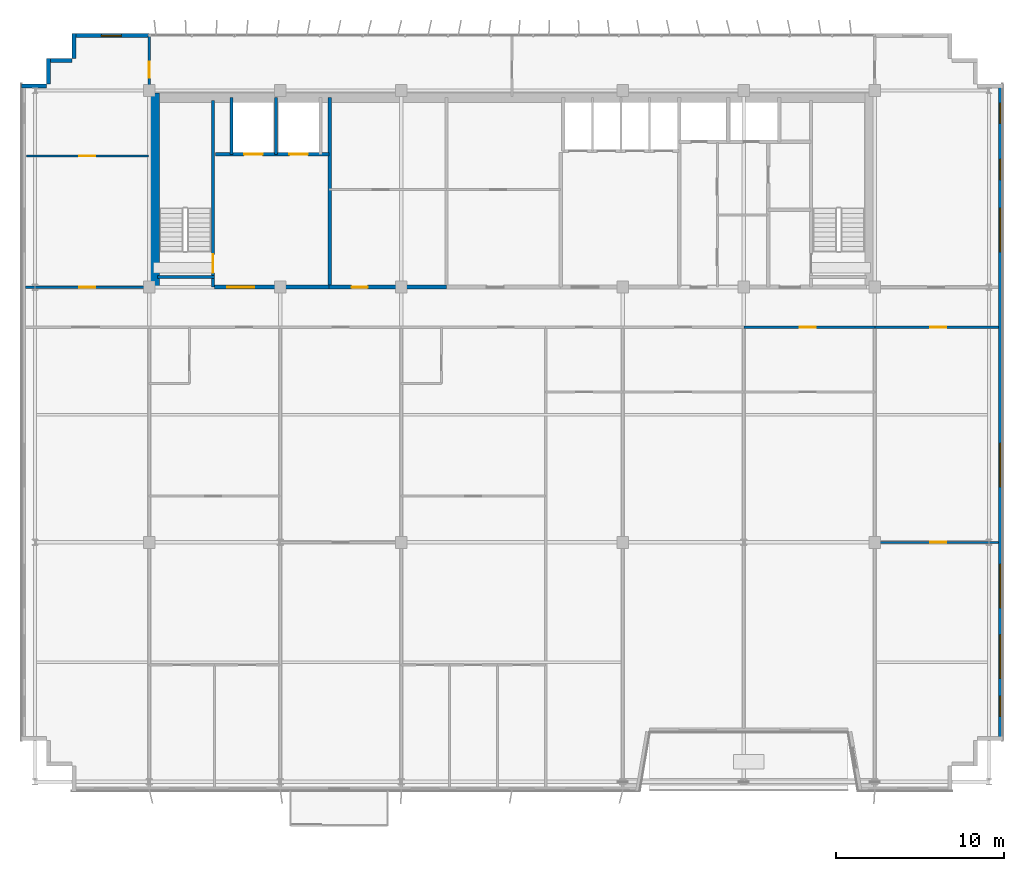
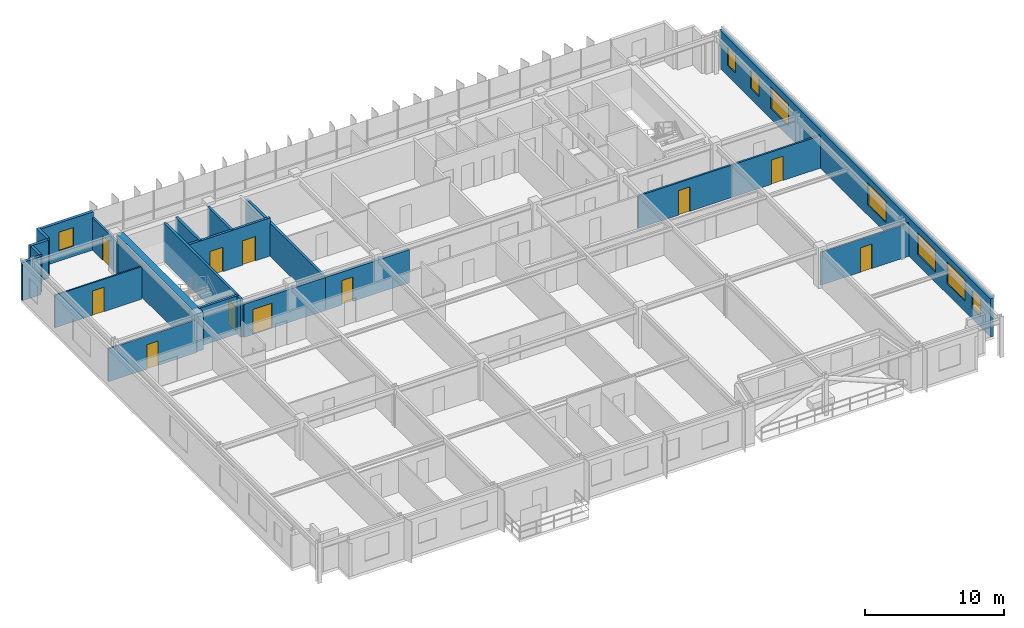
# One storey, part 19 of 23: 21 walls, 11 doors, 8 windows, 19 openings.
"""IFC4 building model written with IfcOpenShell, lengths in metres."""

from ifc_helpers import new_model, si_unit, direction, frame, frame_2d, origin, place, context, subcontext, project, spatial, rectangle, extrude, source, transform, mapped, material, layer, layer_set, type_object, element, fill, save


model = new_model("IFC4")

# Units and contexts
model_context = context("Model", 3, precision=1e-05, world=origin(), true_north=direction((0.0, 1.0)))
body_context = subcontext(model_context, "Body", "Model", "MODEL_VIEW")
ifc_project = project(units=[si_unit("LENGTHUNIT", "METRE"), si_unit("AREAUNIT", "SQUARE_METRE"), si_unit("VOLUMEUNIT", "CUBIC_METRE"), si_unit("PLANEANGLEUNIT", "RADIAN"), si_unit("MASSUNIT", "GRAM", prefix="KILO")], contexts=[model_context])

# Site, building, storey
site_placement = place(None, origin())
site = spatial("IfcSite", under=ifc_project, at=site_placement, CompositionType="ELEMENT")
building_placement = place(site_placement, origin())
building = spatial("IfcBuilding", under=site, at=building_placement, Name="Trelvane Seafront Commons", CompositionType="ELEMENT")
storey_placement = place(building_placement, frame((0.0, 0.0, 230.10009765625)))
storey = spatial("IfcBuildingStorey", under=building, at=storey_placement, Name="L60", CompositionType="ELEMENT", Elevation=230.10009765625)

# Wall, opening, window
ifc_material_1 = material(Name="Precast concrete C40/50", Category="concrete")
ifc_layer_1 = layer(ifc_material_1, 0.239990234375, Name="ARCH-WALL-EXT240")
ifc_layer_set_1 = layer_set([ifc_layer_1], Name="Precast concrete C40/50")
wall_type_1 = type_object("IfcWallType", Name="ARCH-WALL-EXT240", PredefinedType="SOLIDWALL", material=ifc_layer_set_1)
wall_1_placement = place(storey_placement, frame((11.10009765625, 48.3701171875, 0.0), z_axis=(0.0, 0.0, 1.0), x_axis=(1.0, 0.0, 0.0)))
wall_1 = element("IfcWall", 1, at=wall_1_placement, inside=storey, type_object=wall_type_1, Name="EW-L60-NW-1204", PredefinedType="SOLIDWALL", context=body_context, shape_type="SweptSolid", body=[
    extrude(rectangle(XDim=4.5, YDim=0.239990234375, at=frame_2d((2.25, 0.0))), origin(), (0.0, 0.0, 1.0), 3.35986328125),
])
opening_1_placement = place(wall_1_placement, frame((1.64990234375, 0.0, 0.89990234375)))
opening_1 = element("IfcOpeningElement", 2, at=opening_1_placement, cuts=wall_1, Name="Opening W05", PredefinedType="OPENING", context=body_context, shape_type="SweptSolid", body=[
    extrude(rectangle(XDim=1.199951171875, YDim=1.64990234375, at=frame_2d((0.60009765625, 0.824951171875))), frame((0.0, 0.1298828125, 0.0), z_axis=(0.0, -1.0, 0.0), x_axis=(1.0, 0.0, 0.0)), (0.0, 0.0, 1.0), 0.260009765625),
])
ifc_material_2 = material(Name="Low-E coastal double glazing", Category="glass")
window_type_1 = type_object("IfcWindowType", Name="ARCH-WIN-W05", PartitioningType="SINGLE_PANEL", PredefinedType="WINDOW", material=ifc_material_2)
shared_shape_1 = source(origin(), body_context, "Body", "SweptSolid", [
    extrude(rectangle(XDim=1.199951171875, YDim=1.64990234375, at=frame_2d((0.60009765625, 0.824951171875))), frame((0.0, 0.030029296875, 0.0), z_axis=(0.0, -1.0, 0.0), x_axis=(1.0, 0.0, 0.0)), (0.0, 0.0, 1.0), 0.06005859375),
])
window_1_placement = place(opening_1_placement, origin())
window_1 = element("IfcWindow", 3, at=window_1_placement, inside=storey, type_object=window_type_1, Name="WIN-L60-01463", OverallHeight=1.64990234375, OverallWidth=1.199951171875, PartitioningType="SINGLE_PANEL", PredefinedType="WINDOW", context=body_context, shape_type="MappedRepresentation", body=[
    mapped(shared_shape_1, transform((0.0, 0.0, 0.0), x_axis=(1.0, 0.0, 0.0), y_axis=(0.0, 1.0, 0.0), z_axis=(0.0, 0.0, 1.0), scale=1.0)),
])
fill(opening_1, window_1)

# Walls
for number, where, z_axis, x_axis, name in (
    (4, (8.0, 45.3798828125, 0.0), (0.0, 0.0, 1.0), (1.0, 0.0, 0.0), "EW-L60-01210"),
    (5, (9.6201171875, 45.5, 0.0), (0.0, 0.0, 1.0), (0.0, 1.0, 0.0), "EW-L60-01211"),
    (6, (9.5, 46.8798828125, 0.0), (0.0, 0.0, 1.0), (1.0, 0.0, 0.0), "EW-L60-01212"),
    (7, (11.1201171875, 47.0, 0.0), (0.0, 0.0, 1.0), (0.0, 1.0, 0.0), "EW-L60-01213"),
):
    element("IfcWall", number, at=place(storey_placement, frame(where, z_axis=z_axis, x_axis=x_axis)), inside=storey, type_object=wall_type_1, Name=name, PredefinedType="SOLIDWALL", context=body_context, shape_type="SweptSolid", body=[
        extrude(rectangle(XDim=1.5, YDim=0.239990234375, at=frame_2d((0.75, 0.0))), origin(), (0.0, 0.0, 1.0), 3.35986328125),
    ])

# Wall, openings, windows
wall_2_placement = place(storey_placement, frame((66.280029296875, 45.5, 0.0), z_axis=(0.0, 0.0, 1.0), x_axis=(0.0, -1.0, 0.0)))
wall_2 = element("IfcWall", 8, at=wall_2_placement, inside=storey, type_object=wall_type_1, Name="EW-L60-01218", PredefinedType="SOLIDWALL", context=body_context, shape_type="SweptSolid", body=[
    extrude(rectangle(XDim=39.10009765625, YDim=0.239990234375, at=frame_2d((19.550048828125, 0.0))), origin(), (0.0, 0.0, 1.0), 3.35986328125),
])
opening_2_placement = place(wall_2_placement, frame((36.449951171875, 0.0, 0.919921875)))
opening_2 = element("IfcOpeningElement", 9, at=opening_2_placement, cuts=wall_2, Name="Opening W05", PredefinedType="OPENING", context=body_context, shape_type="SweptSolid", body=[
    extrude(rectangle(XDim=1.199951171875, YDim=1.64990234375, at=frame_2d((0.60009765625, 0.824951171875))), frame((0.0, 0.1298828125, 0.0), z_axis=(0.0, -1.0, 0.0), x_axis=(1.0, 0.0, 0.0)), (0.0, 0.0, 1.0), 0.260009765625),
])
opening_3_placement = place(wall_2_placement, frame((32.800048828125, 0.0, 0.919921875)))
opening_3 = element("IfcOpeningElement", 10, at=opening_3_placement, cuts=wall_2, Name="Opening W04", PredefinedType="OPENING", context=body_context, shape_type="SweptSolid", body=[
    extrude(rectangle(XDim=2.60009765625, YDim=1.89990234375, at=frame_2d((1.300048828125, 0.949951171875))), frame((0.0, 0.1298828125, 0.0), z_axis=(0.0, -1.0, 0.0), x_axis=(1.0, 0.0, 0.0)), (0.0, 0.0, 1.0), 0.260009765625),
])
opening_4_placement = place(wall_2_placement, frame((28.60009765625, 0.0, 0.919921875)))
opening_4 = element("IfcOpeningElement", 11, at=opening_4_placement, cuts=wall_2, Name="Opening W04", PredefinedType="OPENING", context=body_context, shape_type="SweptSolid", body=[
    extrude(rectangle(XDim=2.60009765625, YDim=1.89990234375, at=frame_2d((1.300048828125, 0.949951171875))), frame((0.0, 0.1298828125, 0.0), z_axis=(0.0, -1.0, 0.0), x_axis=(1.0, 0.0, 0.0)), (0.0, 0.0, 1.0), 0.260009765625),
])
opening_5_placement = place(wall_2_placement, frame((21.39990234375, 0.0, 0.919921875)))
opening_5 = element("IfcOpeningElement", 12, at=opening_5_placement, cuts=wall_2, Name="Opening W04", PredefinedType="OPENING", context=body_context, shape_type="SweptSolid", body=[
    extrude(rectangle(XDim=2.60009765625, YDim=1.89990234375, at=frame_2d((1.300048828125, 0.949951171875))), frame((0.0, 0.1298828125, 0.0), z_axis=(0.0, -1.0, 0.0), x_axis=(1.0, 0.0, 0.0)), (0.0, 0.0, 1.0), 0.260009765625),
])
opening_6_placement = place(wall_2_placement, frame((7.39990234375, 0.0, 0.919921875)))
opening_6 = element("IfcOpeningElement", 13, at=opening_6_placement, cuts=wall_2, Name="Opening W04", PredefinedType="OPENING", context=body_context, shape_type="SweptSolid", body=[
    extrude(rectangle(XDim=2.60009765625, YDim=1.89990234375, at=frame_2d((1.300048828125, 0.949951171875))), frame((0.0, 0.1298828125, 0.0), z_axis=(0.0, -1.0, 0.0), x_axis=(1.0, 0.0, 0.0)), (0.0, 0.0, 1.0), 0.260009765625),
])
opening_7_placement = place(wall_2_placement, frame((4.5, 0.0, 0.919921875)))
opening_7 = element("IfcOpeningElement", 14, at=opening_7_placement, cuts=wall_2, Name="Opening W05", PredefinedType="OPENING", context=body_context, shape_type="SweptSolid", body=[
    extrude(rectangle(XDim=1.199951171875, YDim=1.64990234375, at=frame_2d((0.60009765625, 0.824951171875))), frame((0.0, 0.1298828125, 0.0), z_axis=(0.0, -1.0, 0.0), x_axis=(1.0, 0.0, 0.0)), (0.0, 0.0, 1.0), 0.260009765625),
])
opening_8_placement = place(wall_2_placement, frame((1.14990234375, 0.0, 0.919921875)))
opening_8 = element("IfcOpeningElement", 15, at=opening_8_placement, cuts=wall_2, Name="Opening W05", PredefinedType="OPENING", context=body_context, shape_type="SweptSolid", body=[
    extrude(rectangle(XDim=1.199951171875, YDim=1.64990234375, at=frame_2d((0.60009765625, 0.824951171875))), frame((0.0, 0.1298828125, 0.0), z_axis=(0.0, -1.0, 0.0), x_axis=(1.0, 0.0, 0.0)), (0.0, 0.0, 1.0), 0.260009765625),
])
window_type_2 = type_object("IfcWindowType", Name="ARCH-WIN-W04", PartitioningType="SINGLE_PANEL", PredefinedType="WINDOW", material=ifc_material_2)
shared_shape_2 = source(origin(), body_context, "Body", "SweptSolid", [
    extrude(rectangle(XDim=2.60009765625, YDim=1.89990234375, at=frame_2d((1.300048828125, 0.949951171875))), frame((0.0, 0.030029296875, 0.0), z_axis=(0.0, -1.0, 0.0), x_axis=(1.0, 0.0, 0.0)), (0.0, 0.0, 1.0), 0.06005859375),
])
window_2_placement = place(opening_3_placement, origin())
window_2 = element("IfcWindow", 16, at=window_2_placement, inside=storey, type_object=window_type_2, Name="WIN-L60-EW-01472", OverallHeight=1.89990234375, OverallWidth=2.60009765625, PartitioningType="SINGLE_PANEL", PredefinedType="WINDOW", context=body_context, shape_type="MappedRepresentation", body=[
    mapped(shared_shape_2, transform((0.0, 0.0, 0.0), x_axis=(1.0, 0.0, 0.0), y_axis=(0.0, 1.0, 0.0), z_axis=(0.0, 0.0, 1.0), scale=1.0)),
])
fill(opening_3, window_2)
window_3_placement = place(opening_4_placement, origin())
window_3 = element("IfcWindow", 17, at=window_3_placement, inside=storey, type_object=window_type_2, Name="WIN-L60-EW-01473", OverallHeight=1.89990234375, OverallWidth=2.60009765625, PartitioningType="SINGLE_PANEL", PredefinedType="WINDOW", context=body_context, shape_type="MappedRepresentation", body=[
    mapped(shared_shape_2, transform((0.0, 0.0, 0.0), x_axis=(1.0, 0.0, 0.0), y_axis=(0.0, 1.0, 0.0), z_axis=(0.0, 0.0, 1.0), scale=1.0)),
])
fill(opening_4, window_3)
window_4_placement = place(opening_5_placement, origin())
window_4 = element("IfcWindow", 18, at=window_4_placement, inside=storey, type_object=window_type_2, Name="WIN-L60-EW-01474", OverallHeight=1.89990234375, OverallWidth=2.60009765625, PartitioningType="SINGLE_PANEL", PredefinedType="WINDOW", context=body_context, shape_type="MappedRepresentation", body=[
    mapped(shared_shape_2, transform((0.0, 0.0, 0.0), x_axis=(1.0, 0.0, 0.0), y_axis=(0.0, 1.0, 0.0), z_axis=(0.0, 0.0, 1.0), scale=1.0)),
])
fill(opening_5, window_4)
window_5_placement = place(opening_6_placement, origin())
window_5 = element("IfcWindow", 19, at=window_5_placement, inside=storey, type_object=window_type_2, Name="WIN-L60-EW-01475", OverallHeight=1.89990234375, OverallWidth=2.60009765625, PartitioningType="SINGLE_PANEL", PredefinedType="WINDOW", context=body_context, shape_type="MappedRepresentation", body=[
    mapped(shared_shape_2, transform((0.0, 0.0, 0.0), x_axis=(1.0, 0.0, 0.0), y_axis=(0.0, 1.0, 0.0), z_axis=(0.0, 0.0, 1.0), scale=1.0)),
])
fill(opening_6, window_5)
window_6_placement = place(opening_2_placement, origin())
window_6 = element("IfcWindow", 20, at=window_6_placement, inside=storey, type_object=window_type_1, Name="WIN-L60-EW-01471", OverallHeight=1.64990234375, OverallWidth=1.199951171875, PartitioningType="SINGLE_PANEL", PredefinedType="WINDOW", context=body_context, shape_type="MappedRepresentation", body=[
    mapped(shared_shape_1, transform((0.0, 0.0, 0.0), x_axis=(1.0, 0.0, 0.0), y_axis=(0.0, 1.0, 0.0), z_axis=(0.0, 0.0, 1.0), scale=1.0)),
])
fill(opening_2, window_6)
window_7_placement = place(opening_7_placement, origin())
window_7 = element("IfcWindow", 21, at=window_7_placement, inside=storey, type_object=window_type_1, Name="WIN-L60-EW-01476", OverallHeight=1.64990234375, OverallWidth=1.199951171875, PartitioningType="SINGLE_PANEL", PredefinedType="WINDOW", context=body_context, shape_type="MappedRepresentation", body=[
    mapped(shared_shape_1, transform((0.0, 0.0, 0.0), x_axis=(1.0, 0.0, 0.0), y_axis=(0.0, 1.0, 0.0), z_axis=(0.0, 0.0, 1.0), scale=1.0)),
])
fill(opening_7, window_7)
window_8_placement = place(opening_8_placement, origin())
window_8 = element("IfcWindow", 22, at=window_8_placement, inside=storey, type_object=window_type_1, Name="WIN-L60-EW-01477", OverallHeight=1.64990234375, OverallWidth=1.199951171875, PartitioningType="SINGLE_PANEL", PredefinedType="WINDOW", context=body_context, shape_type="MappedRepresentation", body=[
    mapped(shared_shape_1, transform((0.0, 0.0, 0.0), x_axis=(1.0, 0.0, 0.0), y_axis=(0.0, 1.0, 0.0), z_axis=(0.0, 0.0, 1.0), scale=1.0)),
])
fill(opening_8, window_8)

# Wall, opening, door
ifc_material_3 = material(Name="Concrete C40/50", Category="concrete")
ifc_layer_2 = layer(ifc_material_3, 0.25, Name="ARCH-WALL-FIRE250")
ifc_layer_set_2 = layer_set([ifc_layer_2], Name="Concrete C40/50")
wall_type_2 = type_object("IfcWallType", Name="ARCH-WALL-FIRE250", PredefinedType="PARTITIONING", material=ifc_layer_set_2)
wall_3_placement = place(storey_placement, frame((19.5, 33.39990234375, 0.0), z_axis=(0.0, 0.0, 1.0), x_axis=(1.0, 0.0, 0.0)))
wall_3 = element("IfcWall", 23, at=wall_3_placement, inside=storey, type_object=wall_type_2, Name="W-L60-CS-FFL-013", PredefinedType="PARTITIONING", context=body_context, shape_type="SweptSolid", body=[
    extrude(rectangle(XDim=6.800048828125, YDim=0.25, at=frame_2d((3.39990234375, 0.0))), origin(), (0.0, 0.0, 1.0), 2.909912109375),
])
opening_9_placement = place(wall_3_placement, frame((0.75, 0.0, 0.0)))
opening_9 = element("IfcOpeningElement", 24, at=opening_9_placement, cuts=wall_3, Name="Opening FD-L60-05", PredefinedType="OPENING", context=body_context, shape_type="SweptSolid", body=[
    extrude(rectangle(XDim=1.60009765625, YDim=2.199951171875, at=frame_2d((0.800048828125, 1.10009765625))), frame((0.0, 0.135009765625, 0.0), z_axis=(0.0, -1.0, 0.0), x_axis=(1.0, 0.0, 0.0)), (0.0, 0.0, 1.0), 0.27001953125),
])
ifc_material_4 = material(Name="Powder-coated aluminium frame", Category="aluminium")
door_type_1 = type_object("IfcDoorType", Name="ARCH-DR-FD60-1600", OperationType="DOUBLE_DOOR_SINGLE_SWING", PredefinedType="DOOR", material=ifc_material_4)
shared_shape_3 = source(origin(), body_context, "Body", "SweptSolid", [
    extrude(rectangle(XDim=1.60009765625, YDim=2.199951171875, at=frame_2d((0.800048828125, 1.10009765625))), frame((0.0, 0.02490234375, 0.0), z_axis=(0.0, -1.0, 0.0), x_axis=(1.0, 0.0, 0.0)), (0.0, 0.0, 1.0), 0.050048828125),
])
door_1_placement = place(opening_9_placement, origin())
door_1 = element("IfcDoor", 25, at=door_1_placement, inside=storey, type_object=door_type_1, Name="L60 Firefighting Lift Lobby Double Fire Door", OperationType="DOUBLE_DOOR_SINGLE_SWING", OverallHeight=2.199951171875, OverallWidth=1.60009765625, PredefinedType="DOOR", context=body_context, shape_type="MappedRepresentation", body=[
    mapped(shared_shape_3, transform((0.0, 0.0, 0.0), x_axis=(1.0, 0.0, 0.0), y_axis=(0.0, 1.0, 0.0), z_axis=(0.0, 0.0, 1.0), scale=1.0)),
])
fill(opening_9, door_1)

wall_4_placement = place(storey_placement, frame((26.300048828125, 33.39990234375, 0.0), z_axis=(0.0, 0.0, 1.0), x_axis=(1.0, 0.0, 0.0)))
wall_4 = element("IfcWall", 26, at=wall_4_placement, inside=storey, type_object=wall_type_2, Name="W-L60-CS-FPL-024", PredefinedType="PARTITIONING", context=body_context, shape_type="SweptSolid", body=[
    extrude(rectangle(XDim=7.0, YDim=0.25, at=frame_2d((3.5, 0.0))), origin(), (0.0, 0.0, 1.0), 2.909912109375),
])
opening_10_placement = place(wall_4_placement, frame((1.35009765625, 0.0, 0.0)))
opening_10 = element("IfcOpeningElement", 27, at=opening_10_placement, cuts=wall_4, Name="Opening D-L60-12", PredefinedType="OPENING", context=body_context, shape_type="SweptSolid", body=[
    extrude(rectangle(XDim=0.949951171875, YDim=2.14990234375, at=frame_2d((0.47509765625, 1.074951171875))), frame((0.0, 0.135009765625, 0.0), z_axis=(0.0, -1.0, 0.0), x_axis=(1.0, 0.0, 0.0)), (0.0, 0.0, 1.0), 0.27001953125),
])
ifc_material_5 = material(Name="Acoustic timber door leaf", Category="wood")
door_type_2 = type_object("IfcDoorType", Name="ARCH-DR-INT950", OperationType="NOTDEFINED", PredefinedType="DOOR", material=ifc_material_5)
shared_shape_4 = source(origin(), body_context, "Body", "SweptSolid", [
    extrude(rectangle(XDim=0.949951171875, YDim=2.14990234375, at=frame_2d((0.47509765625, 1.074951171875))), frame((0.0, 0.02490234375, 0.0), z_axis=(0.0, -1.0, 0.0), x_axis=(1.0, 0.0, 0.0)), (0.0, 0.0, 1.0), 0.050048828125),
])
door_2_placement = place(opening_10_placement, origin())
door_2 = element("IfcDoor", 28, at=door_2_placement, inside=storey, type_object=door_type_2, Name="L60 Floor Pantry Entrance Door", OperationType="SINGLE_SWING_RIGHT", OverallHeight=2.14990234375, OverallWidth=0.949951171875, PredefinedType="DOOR", context=body_context, shape_type="MappedRepresentation", body=[
    mapped(shared_shape_4, transform((0.0, 0.0, 0.0), x_axis=(1.0, 0.0, 0.0), y_axis=(0.0, 1.0, 0.0), z_axis=(0.0, 0.0, 1.0), scale=1.0)),
])
fill(opening_10, door_2)

ifc_material_6 = material(Name="Gypsum Drywall Acoustic Partition")
ifc_layer_3 = layer(ifc_material_6, 0.1201171875, Name="ARCH-WALL-PART120")
ifc_layer_set_3 = layer_set([ifc_layer_3], Name="Gypsum Drywall Acoustic Partition")
wall_type_3 = type_object("IfcWallType", Name="ARCH-WALL-PART120", PredefinedType="PARTITIONING", material=ifc_layer_set_3)
wall_5_placement = place(storey_placement, frame((8.300048828125, 41.199951171875, 0.0), z_axis=(0.0, 0.0, 1.0), x_axis=(1.0, 0.0, 0.0)))
wall_5 = element("IfcWall", 29, at=wall_5_placement, inside=storey, type_object=wall_type_3, Name="W-L60-NW-LGDV-035", PredefinedType="PARTITIONING", context=body_context, shape_type="SweptSolid", body=[
    extrude(rectangle(XDim=7.25, YDim=0.1201171875, at=frame_2d((3.625, 0.0))), origin(), (0.0, 0.0, 1.0), 2.85986328125),
])
opening_11_placement = place(wall_5_placement, frame((3.14990234375, 0.0, 0.0)))
opening_11 = element("IfcOpeningElement", 30, at=opening_11_placement, cuts=wall_5, Name="Opening D-L60-22", PredefinedType="OPENING", context=body_context, shape_type="SweptSolid", body=[
    extrude(rectangle(XDim=0.949951171875, YDim=2.14990234375, at=frame_2d((0.47509765625, 1.074951171875))), frame((0.0, 0.070068359375, 0.0), z_axis=(0.0, -1.0, 0.0), x_axis=(1.0, 0.0, 0.0)), (0.0, 0.0, 1.0), 0.14013671875),
])
door_3_placement = place(opening_11_placement, origin())
door_3 = element("IfcDoor", 31, at=door_3_placement, inside=storey, type_object=door_type_2, Name="L60 Door 22", OperationType="SINGLE_SWING_RIGHT", OverallHeight=2.14990234375, OverallWidth=0.949951171875, PredefinedType="DOOR", context=body_context, shape_type="MappedRepresentation", body=[
    mapped(shared_shape_4, transform((0.0, 0.0, 0.0), x_axis=(1.0, 0.0, 0.0), y_axis=(0.0, 1.0, 0.0), z_axis=(0.0, 0.0, 1.0), scale=1.0)),
])
fill(opening_11, door_3)

wall_6_placement = place(storey_placement, frame((58.800048828125, 18.199951171875, 0.0), z_axis=(0.0, 0.0, 1.0), x_axis=(1.0, 0.0, 0.0)))
wall_6 = element("IfcWall", 32, at=wall_6_placement, inside=storey, type_object=wall_type_3, Name="W-L60-U8-DIV-074", PredefinedType="PARTITIONING", context=body_context, shape_type="SweptSolid", body=[
    extrude(rectangle(XDim=7.375, YDim=0.1201171875, at=frame_2d((3.6875, 0.0))), origin(), (0.0, 0.0, 1.0), 2.909912109375),
])
opening_12_placement = place(wall_6_placement, frame((3.303955078125, 0.0, 0.0)))
opening_12 = element("IfcOpeningElement", 33, at=opening_12_placement, cuts=wall_6, Name="Opening D-L60-49", PredefinedType="OPENING", context=body_context, shape_type="SweptSolid", body=[
    extrude(rectangle(XDim=0.949951171875, YDim=2.14990234375, at=frame_2d((0.47509765625, 1.074951171875))), frame((0.0, 0.070068359375, 0.0), z_axis=(0.0, -1.0, 0.0), x_axis=(1.0, 0.0, 0.0)), (0.0, 0.0, 1.0), 0.14013671875),
])
door_4_placement = place(opening_12_placement, origin())
door_4 = element("IfcDoor", 34, at=door_4_placement, inside=storey, type_object=door_type_2, Name="L60 Door 49", OperationType="SINGLE_SWING_LEFT", OverallHeight=2.14990234375, OverallWidth=0.949951171875, PredefinedType="DOOR", context=body_context, shape_type="MappedRepresentation", body=[
    mapped(shared_shape_4, transform((0.0, 0.0, 0.0), x_axis=(1.0, 0.0, 0.0), y_axis=(0.0, 1.0, 0.0), z_axis=(0.0, 0.0, 1.0), scale=1.0)),
])
fill(opening_12, door_4)

ifc_layer_4 = layer(ifc_material_6, 0.14990234375, Name="ARCH-WALL-PART150")
ifc_layer_set_4 = layer_set([ifc_layer_4], Name="Gypsum Drywall Acoustic Partition")
wall_type_4 = type_object("IfcWallType", Name="ARCH-WALL-PART150", PredefinedType="PARTITIONING", material=ifc_layer_set_4)
wall_7_placement = place(storey_placement, frame((8.25, 33.39990234375, 0.0), z_axis=(0.0, 0.0, 1.0), x_axis=(1.0, 0.0, 0.0)))
wall_7 = element("IfcWall", 35, at=wall_7_placement, inside=storey, type_object=wall_type_4, Name="W-L60-NW-ENT-036", PredefinedType="PARTITIONING", context=body_context, shape_type="SweptSolid", body=[
    extrude(rectangle(XDim=7.35009765625, YDim=0.14990234375, at=frame_2d((3.675048828125, 0.0))), origin(), (0.0, 0.0, 1.0), 2.909912109375),
])
opening_13_placement = place(wall_7_placement, frame((3.19189453125, 0.0, 0.0)))
opening_13 = element("IfcOpeningElement", 36, at=opening_13_placement, cuts=wall_7, Name="Opening FD-L60-23", PredefinedType="OPENING", context=body_context, shape_type="SweptSolid", body=[
    extrude(rectangle(XDim=0.949951171875, YDim=2.14990234375, at=frame_2d((0.47509765625, 1.074951171875))), frame((0.0, 0.0849609375, 0.0), z_axis=(0.0, -1.0, 0.0), x_axis=(1.0, 0.0, 0.0)), (0.0, 0.0, 1.0), 0.169921875),
])
door_type_3 = type_object("IfcDoorType", Name="ARCH-DR-FD60-950", OperationType="NOTDEFINED", PredefinedType="DOOR", material=ifc_material_4)
door_5_placement = place(opening_13_placement, origin())
door_5 = element("IfcDoor", 37, at=door_5_placement, inside=storey, type_object=door_type_3, Name="L60 NW Suite Entrance Door", OperationType="SINGLE_SWING_LEFT", OverallHeight=2.14990234375, OverallWidth=0.949951171875, PredefinedType="DOOR", context=body_context, shape_type="MappedRepresentation", body=[
    mapped(shared_shape_4, transform((0.0, 0.0, 0.0), x_axis=(1.0, 0.0, 0.0), y_axis=(0.0, 1.0, 0.0), z_axis=(0.0, 0.0, 1.0), scale=1.0)),
])
fill(opening_13, door_5)

wall_8_placement = place(storey_placement, frame((15.60009765625, 44.75, 0.0), z_axis=(0.0, 0.0, 1.0), x_axis=(0.0, 1.0, 0.0)))
wall_8 = element("IfcWall", 38, at=wall_8_placement, inside=storey, type_object=wall_type_4, Name="W-L60-N-LINK-W-039", PredefinedType="PARTITIONING", context=body_context, shape_type="SweptSolid", body=[
    extrude(rectangle(XDim=3.610107421875, YDim=0.14990234375, at=frame_2d((1.80517578125, 0.0))), origin(), (0.0, 0.0, 1.0), 2.85986328125),
])
opening_14_placement = place(wall_8_placement, frame((1.10009765625, 0.0, 0.0)))
opening_14 = element("IfcOpeningElement", 39, at=opening_14_placement, cuts=wall_8, Name="Opening FD-L60-26", PredefinedType="OPENING", context=body_context, shape_type="SweptSolid", body=[
    extrude(rectangle(XDim=0.949951171875, YDim=2.14990234375, at=frame_2d((0.47509765625, 1.074951171875))), frame((0.0, 0.0849609375, 0.0), z_axis=(0.0, -1.0, 0.0), x_axis=(1.0, 0.0, 0.0)), (0.0, 0.0, 1.0), 0.169921875),
])
door_6_placement = place(opening_14_placement, origin())
door_6 = element("IfcDoor", 40, at=door_6_placement, inside=storey, type_object=door_type_3, Name="L60 Door 26", OperationType="SINGLE_SWING_RIGHT", OverallHeight=2.14990234375, OverallWidth=0.949951171875, PredefinedType="DOOR", context=body_context, shape_type="MappedRepresentation", body=[
    mapped(shared_shape_4, transform((0.0, 0.0, 0.0), x_axis=(1.0, 0.0, 0.0), y_axis=(0.0, 1.0, 0.0), z_axis=(0.0, 0.0, 1.0), scale=1.0)),
])
fill(opening_14, door_6)

wall_9_placement = place(storey_placement, frame((51.0, 31.0, 0.0), z_axis=(0.0, 0.0, 1.0), x_axis=(1.0, 0.0, 0.0)))
wall_9 = element("IfcWall", 41, at=wall_9_placement, inside=storey, type_object=wall_type_4, Name="W-L60-CS-BAY-7-071", PredefinedType="PARTITIONING", context=body_context, shape_type="SweptSolid", body=[
    extrude(rectangle(XDim=7.800048828125, YDim=0.14990234375, at=frame_2d((3.89990234375, 0.0))), origin(), (0.0, 0.0, 1.0), 2.85986328125),
])
opening_15_placement = place(wall_9_placement, frame((3.3330078125, 0.0, 0.0)))
opening_15 = element("IfcOpeningElement", 42, at=opening_15_placement, cuts=wall_9, Name="Opening FD-L60-46", PredefinedType="OPENING", context=body_context, shape_type="SweptSolid", body=[
    extrude(rectangle(XDim=0.949951171875, YDim=2.14990234375, at=frame_2d((0.47509765625, 1.074951171875))), frame((0.0, 0.0849609375, 0.0), z_axis=(0.0, -1.0, 0.0), x_axis=(1.0, 0.0, 0.0)), (0.0, 0.0, 1.0), 0.169921875),
])
door_7_placement = place(opening_15_placement, origin())
door_7 = element("IfcDoor", 43, at=door_7_placement, inside=storey, type_object=door_type_3, Name="L60 Bay 07 Entrance Door", OperationType="SINGLE_SWING_RIGHT", OverallHeight=2.14990234375, OverallWidth=0.949951171875, PredefinedType="DOOR", context=body_context, shape_type="MappedRepresentation", body=[
    mapped(shared_shape_4, transform((0.0, 0.0, 0.0), x_axis=(1.0, 0.0, 0.0), y_axis=(0.0, 1.0, 0.0), z_axis=(0.0, 0.0, 1.0), scale=1.0)),
])
fill(opening_15, door_7)

wall_10_placement = place(storey_placement, frame((58.800048828125, 31.0, 0.0), z_axis=(0.0, 0.0, 1.0), x_axis=(1.0, 0.0, 0.0)))
wall_10 = element("IfcWall", 44, at=wall_10_placement, inside=storey, type_object=wall_type_4, Name="W-L60-CS-BAY-8-073", PredefinedType="PARTITIONING", context=body_context, shape_type="SweptSolid", body=[
    extrude(rectangle(XDim=7.375, YDim=0.14990234375, at=frame_2d((3.6875, 0.0))), origin(), (0.0, 0.0, 1.0), 2.85986328125),
])
opening_16_placement = place(wall_10_placement, frame((3.303955078125, 0.0, 0.0)))
opening_16 = element("IfcOpeningElement", 45, at=opening_16_placement, cuts=wall_10, Name="Opening FD-L60-48", PredefinedType="OPENING", context=body_context, shape_type="SweptSolid", body=[
    extrude(rectangle(XDim=0.949951171875, YDim=2.14990234375, at=frame_2d((0.47509765625, 1.074951171875))), frame((0.0, 0.0849609375, 0.0), z_axis=(0.0, -1.0, 0.0), x_axis=(1.0, 0.0, 0.0)), (0.0, 0.0, 1.0), 0.169921875),
])
door_8_placement = place(opening_16_placement, origin())
door_8 = element("IfcDoor", 46, at=door_8_placement, inside=storey, type_object=door_type_3, Name="L60 Bay 08 Entrance Door", OperationType="SINGLE_SWING_RIGHT", OverallHeight=2.14990234375, OverallWidth=0.949951171875, PredefinedType="DOOR", context=body_context, shape_type="MappedRepresentation", body=[
    mapped(shared_shape_4, transform((0.0, 0.0, 0.0), x_axis=(1.0, 0.0, 0.0), y_axis=(0.0, 1.0, 0.0), z_axis=(0.0, 0.0, 1.0), scale=1.0)),
])
fill(opening_16, door_8)

# Wall, openings, doors
ifc_layer_5 = layer(ifc_material_3, 0.199951171875, Name="ARCH-WALL-SHAFT200")
ifc_layer_set_5 = layer_set([ifc_layer_5], Name="Concrete C40/50")
wall_type_5 = type_object("IfcWallType", Name="ARCH-WALL-SHAFT200", PredefinedType="SOLIDWALL", material=ifc_layer_set_5)
wall_11_placement = place(storey_placement, frame((19.550048828125, 41.300048828125, 0.0), z_axis=(0.0, 0.0, 1.0), x_axis=(1.0, 0.0, 0.0)))
wall_11 = element("IfcWall", 47, at=wall_11_placement, inside=storey, type_object=wall_type_5, Name="W-L60-FFL-FRONT-008", PredefinedType="SOLIDWALL", context=body_context, shape_type="SweptSolid", body=[
    extrude(rectangle(XDim=6.75, YDim=0.199951171875, at=frame_2d((3.375, 0.0))), origin(), (0.0, 0.0, 1.0), 3.35986328125),
])
opening_17_placement = place(wall_11_placement, frame((1.699951171875, 0.0, 0.0)))
opening_17 = element("IfcOpeningElement", 48, at=opening_17_placement, cuts=wall_11, Name="Opening LD-FF1-L60", PredefinedType="OPENING", context=body_context, shape_type="SweptSolid", body=[
    extrude(rectangle(XDim=1.10009765625, YDim=2.14990234375, at=frame_2d((0.550048828125, 1.074951171875))), frame((0.0, 0.10986328125, 0.0), z_axis=(0.0, -1.0, 0.0), x_axis=(1.0, 0.0, 0.0)), (0.0, 0.0, 1.0), 0.219970703125),
])
opening_18_placement = place(wall_11_placement, frame((4.39990234375, 0.0, 0.0)))
opening_18 = element("IfcOpeningElement", 49, at=opening_18_placement, cuts=wall_11, Name="Opening LD-FF2-L60", PredefinedType="OPENING", context=body_context, shape_type="SweptSolid", body=[
    extrude(rectangle(XDim=1.10009765625, YDim=2.14990234375, at=frame_2d((0.550048828125, 1.074951171875))), frame((0.0, 0.10986328125, 0.0), z_axis=(0.0, -1.0, 0.0), x_axis=(1.0, 0.0, 0.0)), (0.0, 0.0, 1.0), 0.219970703125),
])
ifc_material_7 = material(Name="Stainless steel balustrade", Category="steel")
door_type_4 = type_object("IfcDoorType", Name="ARCH-DR-LD1100", OperationType="DOUBLE_DOOR_SLIDING", PredefinedType="DOOR", material=ifc_material_7)
shared_shape_5 = source(origin(), body_context, "Body", "SweptSolid", [
    extrude(rectangle(XDim=1.10009765625, YDim=2.14990234375, at=frame_2d((0.550048828125, 1.074951171875))), frame((0.0, 0.02490234375, 0.0), z_axis=(0.0, -1.0, 0.0), x_axis=(1.0, 0.0, 0.0)), (0.0, 0.0, 1.0), 0.050048828125),
])
door_9_placement = place(opening_17_placement, origin())
door_9 = element("IfcDoor", 50, at=door_9_placement, inside=storey, type_object=door_type_4, Name="L60 Firefighting Lift FFL-1 Landing Door", OperationType="DOUBLE_DOOR_SLIDING", OverallHeight=2.14990234375, OverallWidth=1.10009765625, PredefinedType="DOOR", context=body_context, shape_type="MappedRepresentation", body=[
    mapped(shared_shape_5, transform((0.0, 0.0, 0.0), x_axis=(1.0, 0.0, 0.0), y_axis=(0.0, 1.0, 0.0), z_axis=(0.0, 0.0, 1.0), scale=1.0)),
])
fill(opening_17, door_9)
door_10_placement = place(opening_18_placement, origin())
door_10 = element("IfcDoor", 51, at=door_10_placement, inside=storey, type_object=door_type_4, Name="L60 Firefighting Lift FFL-2 Landing Door", OperationType="DOUBLE_DOOR_SLIDING", OverallHeight=2.14990234375, OverallWidth=1.10009765625, PredefinedType="DOOR", context=body_context, shape_type="MappedRepresentation", body=[
    mapped(shared_shape_5, transform((0.0, 0.0, 0.0), x_axis=(1.0, 0.0, 0.0), y_axis=(0.0, 1.0, 0.0), z_axis=(0.0, 0.0, 1.0), scale=1.0)),
])
fill(opening_18, door_10)

# Walls
for number, where, z_axis, x_axis, name in (
    (52, (20.5, 41.300048828125, 0.0), (0.0, 0.0, 1.0), (0.0, 1.0, 0.0), "W-L60-FFL-SH-W-009"),
    (53, (23.14990234375, 41.300048828125, 0.0), (0.0, 0.0, 1.0), (0.0, 1.0, 0.0), "W-L60-FFL-DIV-010"),
):
    element("IfcWall", number, at=place(storey_placement, frame(where, z_axis=z_axis, x_axis=x_axis)), inside=storey, type_object=wall_type_5, Name=name, PredefinedType="SOLIDWALL", context=body_context, shape_type="SweptSolid", body=[
        extrude(rectangle(XDim=3.39990234375, YDim=0.199951171875, at=frame_2d((1.699951171875, 0.0))), origin(), (0.0, 0.0, 1.0), 3.35986328125),
    ])
wall_12_placement = place(storey_placement, frame((26.35009765625, 33.39990234375, 0.0), z_axis=(0.0, 0.0, 1.0), x_axis=(0.0, 1.0, 0.0)))
element("IfcWall", 54, at=wall_12_placement, inside=storey, type_object=wall_type_5, Name="W-L60-FFL-EAST-012", PredefinedType="SOLIDWALL", context=body_context, shape_type="SweptSolid", body=[
    extrude(rectangle(XDim=11.300048828125, YDim=0.199951171875, at=frame_2d((5.64990234375, 0.0))), origin(), (0.0, 0.0, 1.0), 2.909912109375),
])
ifc_material_8 = material(Name="Concrete C50/60", Category="concrete")
ifc_layer_6 = layer(ifc_material_8, 0.550048828125, Name="STR-WALL-CORE550")
ifc_layer_set_6 = layer_set([ifc_layer_6], Name="Concrete C50/60")
wall_type_6 = type_object("IfcWallType", Name="STR-WALL-CORE550", PredefinedType="SHEAR", material=ifc_layer_set_6)
wall_13_placement = place(storey_placement, frame((15.925048828125, 33.39990234375, 0.0), z_axis=(0.0, 0.0, 1.0), x_axis=(0.0, 1.0, 0.0)))
element("IfcWall", 55, at=wall_13_placement, inside=storey, type_object=wall_type_6, Name="W-L60-CW-END-002", PredefinedType="SHEAR", context=body_context, shape_type="SweptSolid", body=[
    extrude(rectangle(XDim=11.550048828125, YDim=0.550048828125, at=frame_2d((5.77490234375, 0.0))), origin(), (0.0, 0.0, 1.0), 3.35986328125),
])
ifc_layer_7 = layer(ifc_material_8, 0.199951171875, Name="STR-WALL-STAIR200")
ifc_layer_set_7 = layer_set([ifc_layer_7], Name="Concrete C50/60")
wall_type_7 = type_object("IfcWallType", Name="STR-WALL-STAIR200", PredefinedType="SHEAR", material=ifc_layer_set_7)
wall_14_placement = place(storey_placement, frame((16.10009765625, 34.0, 0.0), z_axis=(0.0, 0.0, 1.0), x_axis=(1.0, 0.0, 0.0)))
element("IfcWall", 56, at=wall_14_placement, inside=storey, type_object=wall_type_7, Name="W-L60-ST1-S-004", PredefinedType="SHEAR", context=body_context, shape_type="SweptSolid", body=[
    extrude(rectangle(XDim=3.39990234375, YDim=0.199951171875, at=frame_2d((1.699951171875, 0.0))), origin(), (0.0, 0.0, 1.0), 3.35986328125),
])

# Wall, opening, door
wall_15_placement = place(storey_placement, frame((19.39990234375, 33.39990234375, 0.0), z_axis=(0.0, 0.0, 1.0), x_axis=(0.0, 1.0, 0.0)))
wall_15 = element("IfcWall", 57, at=wall_15_placement, inside=storey, type_object=wall_type_7, Name="W-L60-ST1-E-005", PredefinedType="SHEAR", context=body_context, shape_type="SweptSolid", body=[
    extrude(rectangle(XDim=11.10009765625, YDim=0.199951171875, at=frame_2d((5.550048828125, 0.0))), origin(), (0.0, 0.0, 1.0), 3.35986328125),
])
opening_19_placement = place(wall_15_placement, frame((0.85009765625, 0.0, 0.0)))
opening_19 = element("IfcOpeningElement", 58, at=opening_19_placement, cuts=wall_15, Name="Opening ST-D1-L60", PredefinedType="OPENING", context=body_context, shape_type="SweptSolid", body=[
    extrude(rectangle(XDim=1.10009765625, YDim=2.14990234375, at=frame_2d((0.550048828125, 1.074951171875))), frame((0.0, 0.10986328125, 0.0), z_axis=(0.0, -1.0, 0.0), x_axis=(1.0, 0.0, 0.0)), (0.0, 0.0, 1.0), 0.219970703125),
])
door_type_5 = type_object("IfcDoorType", Name="ARCH-DR-FD90-1100", OperationType="NOTDEFINED", PredefinedType="DOOR", material=ifc_material_4)
door_11_placement = place(opening_19_placement, origin())
door_11 = element("IfcDoor", 59, at=door_11_placement, inside=storey, type_object=door_type_5, Name="L60 Stair ST-1 Lobby Fire Door", OperationType="SINGLE_SWING_LEFT", OverallHeight=2.14990234375, OverallWidth=1.10009765625, PredefinedType="DOOR", context=body_context, shape_type="MappedRepresentation", body=[
    mapped(shared_shape_5, transform((0.0, 0.0, 0.0), x_axis=(1.0, 0.0, 0.0), y_axis=(0.0, 1.0, 0.0), z_axis=(0.0, 0.0, 1.0), scale=1.0)),
])
fill(opening_19, door_11)

save(model, "model.ifc")
